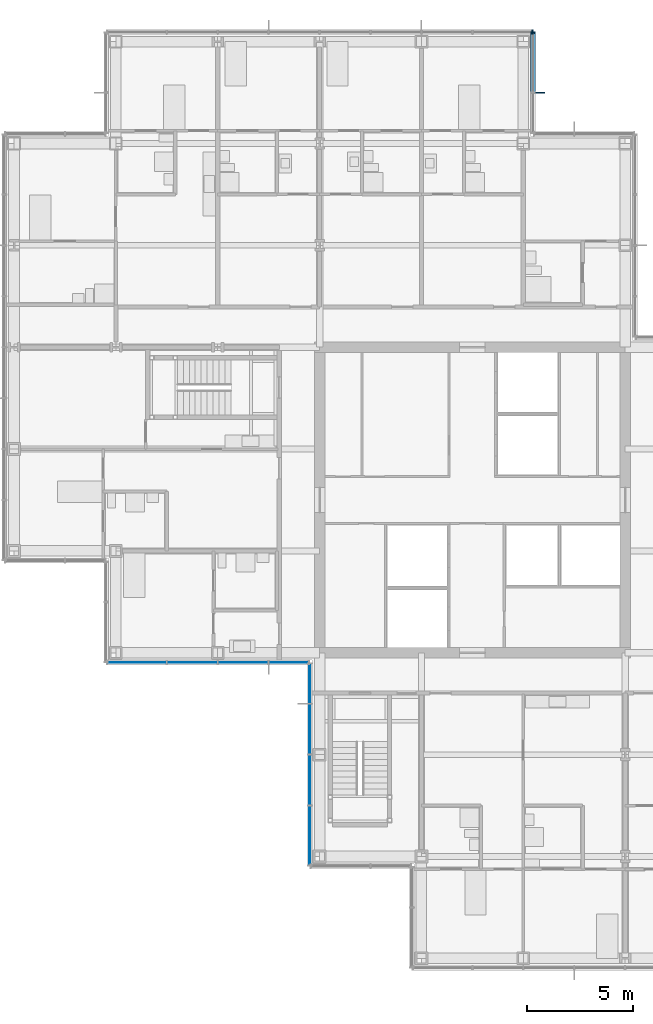
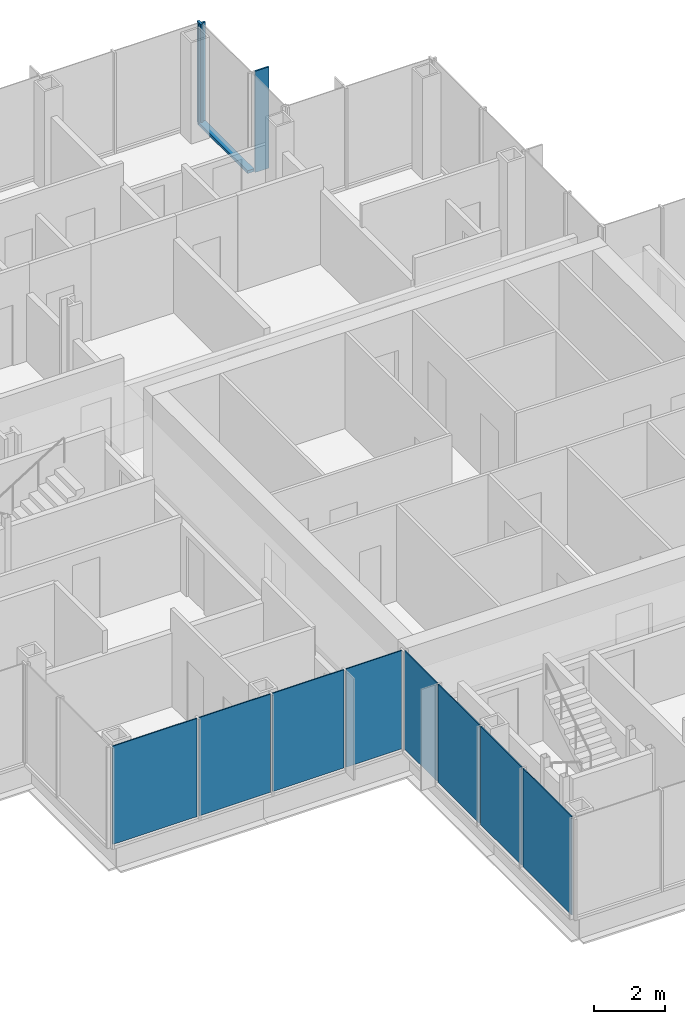
# One storey, part 11 of 20: 8 plates, 4 members, 4 elements without a shape of their own.
"""IFC4 building model written with IfcOpenShell, lengths in metres."""

from ifc_helpers import new_model, si_unit, direction, frame, origin, origin_2d, place, context, subcontext, project, spatial, rectangle, extrude, material, layer, layer_set, material_profile, profile_set, type_object, element, aggregate, save


model = new_model("IFC4")

# Units and contexts
model_context = context("Model", 3, precision=1e-05, world=origin(), true_north=direction((0.0, 1.0)))
body_context = subcontext(model_context, "Body", "Model", "MODEL_VIEW")
ifc_project = project(units=[si_unit("LENGTHUNIT", "METRE"), si_unit("AREAUNIT", "SQUARE_METRE"), si_unit("VOLUMEUNIT", "CUBIC_METRE"), si_unit("PLANEANGLEUNIT", "RADIAN"), si_unit("MASSUNIT", "GRAM", prefix="KILO")], contexts=[model_context])

# Site, building, storey
site_placement = place(None, origin())
site = spatial("IfcSite", under=ifc_project, at=site_placement, CompositionType="ELEMENT")
building_placement = place(site_placement, origin())
building = spatial("IfcBuilding", under=site, at=building_placement, Name="Kvirike Care Tower", CompositionType="ELEMENT")
storey_placement = place(building_placement, frame((0.0, 0.0, 115.5)))
storey = spatial("IfcBuildingStorey", under=building, at=storey_placement, Name="L31", CompositionType="ELEMENT", Elevation=115.5)

# Curtain wall, members
ifc_material_1 = material(Name="Anodised aluminium stick system", Category="aluminium")
curtain_wall_type = type_object("IfcCurtainWallType", Name="CW-B STICK CURTAIN WALL", PredefinedType="NOTDEFINED", material=ifc_material_1)
curtain_wall_1_placement = place(storey_placement, origin())
curtain_wall_1 = element("IfcCurtainWall", 1, at=curtain_wall_1_placement, inside=storey, type_object=curtain_wall_type, Name="Curtain wall L31 face 7", PredefinedType="NOTDEFINED")
ifc_material_2 = material(Name="Bronze anodised aluminium fin", Category="aluminium")
ifc_material_profile_1 = material_profile(ifc_material_2, rectangle(XDim=0.050048828125, YDim=0.449951171875, at=origin_2d()), Name="BRONZE FIN 450")
ifc_profile_set_1 = profile_set([ifc_material_profile_1], Name="Bronze anodised aluminium fin")
member_type_1 = type_object("IfcMemberType", Name="BRONZE FIN 450", PredefinedType="USERDEFINED", material=ifc_profile_set_1)
member_1_placement = place(storey_placement, frame((24.794921875, 55.199951171875, 0.0), z_axis=(0.0, 0.0, 1.0), x_axis=(0.0, 1.0, 0.0)))
member_1 = element("IfcMember", 2, at=member_1_placement, type_object=member_type_1, Name="Bronze fin L31 face 7.2", ObjectType="FIN", PredefinedType="USERDEFINED", context=body_context, shape_type="SweptSolid", body=[
    extrude(rectangle(XDim=0.050048828125, YDim=0.449951171875, at=origin_2d()), origin(), (0.0, 0.0, 1.0), 3.5),
])
ifc_material_3 = material(Name="Bronze anodised aluminium mullion", Category="aluminium")
ifc_material_profile_2 = material_profile(ifc_material_3, rectangle(XDim=0.06494140625, YDim=0.219970703125, at=origin_2d()), Name="CW-B MULLION 65x220")
ifc_profile_set_2 = profile_set([ifc_material_profile_2], Name="Bronze anodised aluminium mullion")
member_type_2 = type_object("IfcMemberType", Name="CW-B MULLION 65x220", PredefinedType="MULLION", material=ifc_profile_set_2)
member_2_placement = place(storey_placement, frame((24.4599609375, 58.027587890625, 0.0), z_axis=(0.0, 0.0, 1.0), x_axis=(0.0, 1.0, 0.0)))
member_2 = element("IfcMember", 3, at=member_2_placement, type_object=member_type_2, Name="CW-B mullion L31 face 7.3", PredefinedType="MULLION", context=body_context, shape_type="SweptSolid", body=[
    extrude(rectangle(XDim=0.06494140625, YDim=0.219970703125, at=origin_2d()), origin(), (0.0, 0.0, 1.0), 3.5),
])

# Curtain wall, member
curtain_wall_2_placement = place(storey_placement, origin())
curtain_wall_2 = element("IfcCurtainWall", 4, at=curtain_wall_2_placement, inside=storey, type_object=curtain_wall_type, Name="Curtain wall L31 face 8", PredefinedType="NOTDEFINED")
member_3_placement = place(storey_placement, frame((24.427490234375, 58.06005859375, 0.0), z_axis=(0.0, 0.0, 1.0), x_axis=(-1.0, 0.0, 0.0)))
member_3 = element("IfcMember", 5, at=member_3_placement, type_object=member_type_2, Name="CW-B mullion L31 face 8.1", PredefinedType="MULLION", context=body_context, shape_type="SweptSolid", body=[
    extrude(rectangle(XDim=0.06494140625, YDim=0.219970703125, at=origin_2d()), origin(), (0.0, 0.0, 1.0), 3.5),
])
aggregate(curtain_wall_2, [member_3])

# Member
ifc_material_4 = material(Name="Bronze anodised aluminium transom", Category="aluminium")
ifc_material_profile_3 = material_profile(ifc_material_4, rectangle(XDim=0.219970703125, YDim=0.10009765625, at=origin_2d()), Name="CW-B TRANSOM 220x100")
ifc_profile_set_3 = profile_set([ifc_material_profile_3], Name="Bronze anodised aluminium transom")
member_type_3 = type_object("IfcMemberType", Name="CW-B TRANSOM 220x100", PredefinedType="USERDEFINED", material=ifc_profile_set_3)
member_4_placement = place(storey_placement, frame((24.4599609375, 55.232421875, 0.050048828125), z_axis=(0.0, 1.0, 0.0), x_axis=(-1.0, 0.0, 0.0)))
member_4 = element("IfcMember", 6, at=member_4_placement, type_object=member_type_3, Name="CW-B sill transom L31 face 7.2", ObjectType="TRANSOM", PredefinedType="USERDEFINED", context=body_context, shape_type="SweptSolid", body=[
    extrude(rectangle(XDim=0.219970703125, YDim=0.10009765625, at=origin_2d()), origin(), (0.0, 0.0, 1.0), 2.7626953125),
])

aggregate(curtain_wall_1, [member_1, member_2, member_4])

# Curtain wall, plates
curtain_wall_3_placement = place(storey_placement, origin())
curtain_wall_3 = element("IfcCurtainWall", 7, at=curtain_wall_3_placement, inside=storey, type_object=curtain_wall_type, Name="Curtain wall L31 face 14", PredefinedType="NOTDEFINED")
ifc_material_5 = material(Name="Tinted double glazed unit", Category="glass")
ifc_layer = layer(ifc_material_5, 0.035888671875)
ifc_layer_set = layer_set([ifc_layer], Name="TINTED VISION PANEL 36")
plate_type = type_object("IfcPlateType", Name="TINTED VISION PANEL 36", PredefinedType="CURTAIN_PANEL", material=ifc_layer_set)
plate_1_placement = place(storey_placement, frame((5.7861328125, 28.340087890625, 0.10009765625), z_axis=(0.0, 0.0, 1.0), x_axis=(1.0, 0.0, 0.0)))
plate_1 = element("IfcPlate", 8, at=plate_1_placement, type_object=plate_type, Name="CW-B panel L31 face 14.1", PredefinedType="CURTAIN_PANEL", context=body_context, shape_type="SweptSolid", body=[
    extrude(rectangle(XDim=2.762451171875, YDim=0.035888671875, at=origin_2d()), origin(), (0.0, 0.0, 1.0), 3.39990234375),
])
plate_2_placement = place(storey_placement, frame((8.39990234375, 28.340087890625, 0.10009765625), z_axis=(0.0, 0.0, 1.0), x_axis=(1.0, 0.0, 0.0)))
plate_2 = element("IfcPlate", 9, at=plate_2_placement, type_object=plate_type, Name="CW-B panel L31 face 14.2", PredefinedType="CURTAIN_PANEL", context=body_context, shape_type="SweptSolid", body=[
    extrude(rectangle(XDim=2.3349609375, YDim=0.035888671875, at=origin_2d()), origin(), (0.0, 0.0, 1.0), 3.39990234375),
])
plate_3_placement = place(storey_placement, frame((10.800048828125, 28.340087890625, 0.10009765625), z_axis=(0.0, 0.0, 1.0), x_axis=(1.0, 0.0, 0.0)))
plate_3 = element("IfcPlate", 10, at=plate_3_placement, type_object=plate_type, Name="CW-B panel L31 face 14.3", PredefinedType="CURTAIN_PANEL", context=body_context, shape_type="SweptSolid", body=[
    extrude(rectangle(XDim=2.3349609375, YDim=0.035888671875, at=origin_2d()), origin(), (0.0, 0.0, 1.0), 3.39990234375),
])
plate_4_placement = place(storey_placement, frame((12.953857421875, 28.340087890625, 0.10009765625), z_axis=(0.0, 0.0, 1.0), x_axis=(1.0, 0.0, 0.0)))
plate_4 = element("IfcPlate", 11, at=plate_4_placement, type_object=plate_type, Name="CW-B panel L31 face 14.4", PredefinedType="CURTAIN_PANEL", context=body_context, shape_type="SweptSolid", body=[
    extrude(rectangle(XDim=1.842529296875, YDim=0.035888671875, at=origin_2d()), origin(), (0.0, 0.0, 1.0), 3.39990234375),
])
aggregate(curtain_wall_3, [plate_1, plate_2, plate_3, plate_4])

curtain_wall_4_placement = place(storey_placement, origin())
curtain_wall_4 = element("IfcCurtainWall", 12, at=curtain_wall_4_placement, inside=storey, type_object=curtain_wall_type, Name="Curtain wall L31 face 15", PredefinedType="NOTDEFINED")
plate_5_placement = place(storey_placement, frame((13.93994140625, 27.353759765625, 0.10009765625), z_axis=(0.0, 0.0, 1.0), x_axis=(0.0, -1.0, 0.0)))
plate_5 = element("IfcPlate", 13, at=plate_5_placement, type_object=plate_type, Name="CW-B panel L31 face 15.1", PredefinedType="CURTAIN_PANEL", context=body_context, shape_type="SweptSolid", body=[
    extrude(rectangle(XDim=1.842529296875, YDim=0.035888671875, at=origin_2d()), origin(), (0.0, 0.0, 1.0), 3.39990234375),
])
plate_6_placement = place(storey_placement, frame((13.93994140625, 25.199951171875, 0.10009765625), z_axis=(0.0, 0.0, 1.0), x_axis=(0.0, -1.0, 0.0)))
plate_6 = element("IfcPlate", 14, at=plate_6_placement, type_object=plate_type, Name="CW-B panel L31 face 15.2", PredefinedType="CURTAIN_PANEL", context=body_context, shape_type="SweptSolid", body=[
    extrude(rectangle(XDim=2.3349609375, YDim=0.035888671875, at=origin_2d()), origin(), (0.0, 0.0, 1.0), 3.39990234375),
])
plate_7_placement = place(storey_placement, frame((13.93994140625, 22.800048828125, 0.10009765625), z_axis=(0.0, 0.0, 1.0), x_axis=(0.0, -1.0, 0.0)))
plate_7 = element("IfcPlate", 15, at=plate_7_placement, type_object=plate_type, Name="CW-B panel L31 face 15.3", PredefinedType="CURTAIN_PANEL", context=body_context, shape_type="SweptSolid", body=[
    extrude(rectangle(XDim=2.3349609375, YDim=0.035888671875, at=origin_2d()), origin(), (0.0, 0.0, 1.0), 3.39990234375),
])
plate_8_placement = place(storey_placement, frame((13.93994140625, 20.186279296875, 0.10009765625), z_axis=(0.0, 0.0, 1.0), x_axis=(0.0, -1.0, 0.0)))
plate_8 = element("IfcPlate", 16, at=plate_8_placement, type_object=plate_type, Name="CW-B panel L31 face 15.4", PredefinedType="CURTAIN_PANEL", context=body_context, shape_type="SweptSolid", body=[
    extrude(rectangle(XDim=2.762451171875, YDim=0.035888671875, at=origin_2d()), origin(), (0.0, 0.0, 1.0), 3.39990234375),
])
aggregate(curtain_wall_4, [plate_5, plate_6, plate_7, plate_8])

save(model, "model.ifc")
